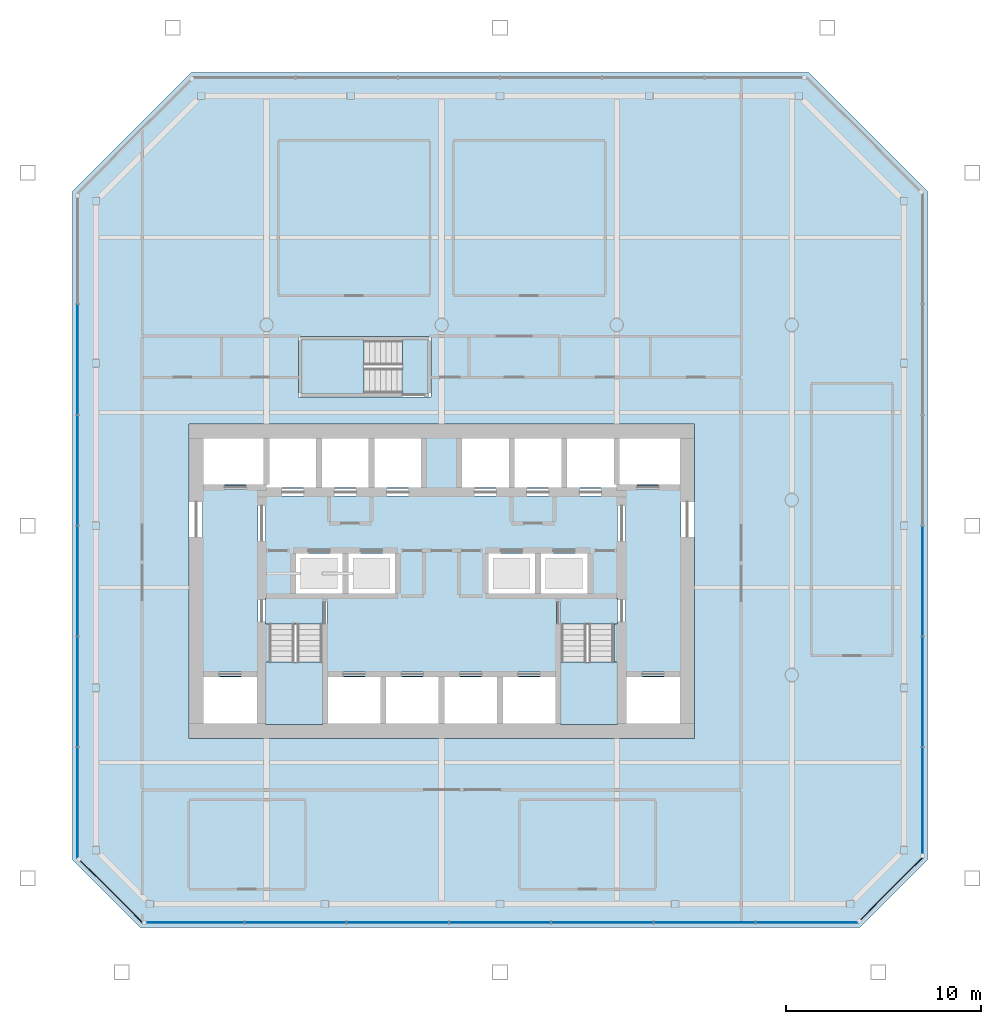
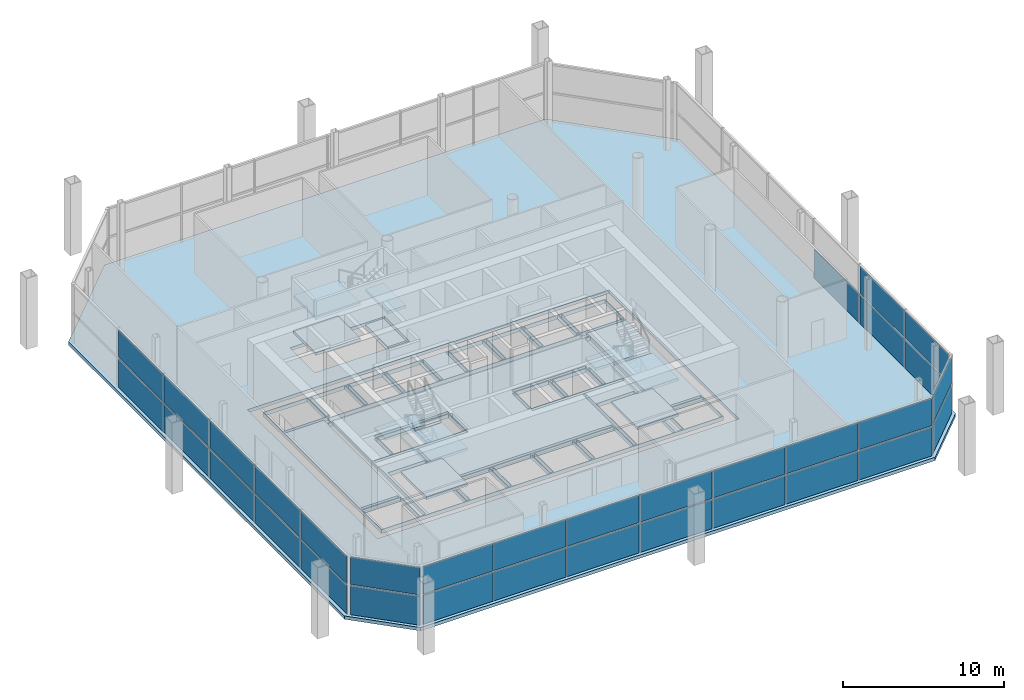
# One storey, part 6 of 12: 33 plates, 12 slabs, 8 elements without a shape of their own.
"""IFC4 building model written with IfcOpenShell, lengths in metres."""

from ifc_helpers import new_model, si_unit, direction, frame, origin, origin_2d, place, context, subcontext, project, spatial, polyline, rectangle, outline, extrude, material, layer, layer_set, type_object, element, aggregate, save


model = new_model("IFC4")

# Units and contexts
model_context = context("Model", 3, precision=1e-05, world=origin(), true_north=direction((0.0, 1.0)))
body_context = subcontext(model_context, "Body", "Model", "MODEL_VIEW")
ifc_project = project(units=[si_unit("LENGTHUNIT", "METRE"), si_unit("AREAUNIT", "SQUARE_METRE"), si_unit("VOLUMEUNIT", "CUBIC_METRE"), si_unit("PLANEANGLEUNIT", "RADIAN"), si_unit("MASSUNIT", "GRAM", prefix="KILO")], contexts=[model_context])

# Site, building, storey
site_placement = place(None, origin())
site = spatial("IfcSite", under=ifc_project, at=site_placement, CompositionType="ELEMENT")
building_placement = place(site_placement, origin())
building = spatial("IfcBuilding", under=site, at=building_placement, Name="Tskaro Facet Tower", CompositionType="ELEMENT")
storey_placement = place(building_placement, frame((0.0, 0.0, 162.300048828125)))
storey = spatial("IfcBuildingStorey", under=building, at=storey_placement, Name="L40", CompositionType="ELEMENT", Elevation=162.300048828125)

# Curtain wall, plates
ifc_material_1 = material(Name="Bronze anodised aluminium 6063-T6", Category="aluminium")
curtain_wall_type = type_object("IfcCurtainWallType", Name="Bronze sky lobby curtain wall (FW4)", PredefinedType="NOTDEFINED", material=ifc_material_1)
curtain_wall_1_placement = place(storey_placement, origin())
curtain_wall_1 = element("IfcCurtainWall", 1, at=curtain_wall_1_placement, inside=storey, type_object=curtain_wall_type, Name="FW4 south facet L40", PredefinedType="NOTDEFINED")
ifc_material_2 = material(Name="Clear low-iron glass", Category="glass")
ifc_layer_1 = layer(ifc_material_2, 0.0380859375, Name="Clear low-iron glass")
ifc_layer_set_1 = layer_set([ifc_layer_1], Name="Clear low-iron glass")
plate_type = type_object("IfcPlateType", Name="FW4 bronze-tinted unit glazing 38", PredefinedType="CURTAIN_PANEL", material=ifc_layer_set_1)
plate_1_placement = place(storey_placement, frame((-12.674560546875, -21.72412109375, 0.0), z_axis=(0.0, 0.0, 1.0), x_axis=(1.0, 0.0, 0.0)))
plate_1 = element("IfcPlate", 2, at=plate_1_placement, type_object=plate_type, Name="FW4 south glazing 1.1", PredefinedType="CURTAIN_PANEL", context=body_context, shape_type="SweptSolid", body=[
    extrude(rectangle(XDim=4.994873046875, YDim=0.0380859375, at=origin_2d()), origin(), (0.0, 0.0, 1.0), 2.18505859375),
])
plate_2_placement = place(storey_placement, frame((-12.674560546875, -21.72412109375, 2.304931640625), z_axis=(0.0, 0.0, 1.0), x_axis=(1.0, 0.0, 0.0)))
plate_2 = element("IfcPlate", 3, at=plate_2_placement, type_object=plate_type, Name="FW4 south glazing 1.2", PredefinedType="CURTAIN_PANEL", context=body_context, shape_type="SweptSolid", body=[
    extrude(rectangle(XDim=4.994873046875, YDim=0.0380859375, at=origin_2d()), origin(), (0.0, 0.0, 1.0), 2.06494140625),
])
plate_3_placement = place(storey_placement, frame((-7.509765625, -21.72412109375, 0.0), z_axis=(0.0, 0.0, 1.0), x_axis=(1.0, 0.0, 0.0)))
plate_3 = element("IfcPlate", 4, at=plate_3_placement, type_object=plate_type, Name="FW4 south glazing 2.1", PredefinedType="CURTAIN_PANEL", context=body_context, shape_type="SweptSolid", body=[
    extrude(rectangle(XDim=5.1748046875, YDim=0.0380859375, at=origin_2d()), origin(), (0.0, 0.0, 1.0), 2.18505859375),
])
plate_4_placement = place(storey_placement, frame((-7.509765625, -21.72412109375, 2.304931640625), z_axis=(0.0, 0.0, 1.0), x_axis=(1.0, 0.0, 0.0)))
plate_4 = element("IfcPlate", 5, at=plate_4_placement, type_object=plate_type, Name="FW4 south glazing 2.2", PredefinedType="CURTAIN_PANEL", context=body_context, shape_type="SweptSolid", body=[
    extrude(rectangle(XDim=5.1748046875, YDim=0.0380859375, at=origin_2d()), origin(), (0.0, 0.0, 1.0), 2.06494140625),
])
plate_5_placement = place(storey_placement, frame((-2.2548828125, -21.72412109375, 0.0), z_axis=(0.0, 0.0, 1.0), x_axis=(1.0, 0.0, 0.0)))
plate_5 = element("IfcPlate", 6, at=plate_5_placement, type_object=plate_type, Name="FW4 south glazing 3.1", PredefinedType="CURTAIN_PANEL", context=body_context, shape_type="SweptSolid", body=[
    extrude(rectangle(XDim=5.1748046875, YDim=0.0380859375, at=origin_2d()), origin(), (0.0, 0.0, 1.0), 2.18505859375),
])
plate_6_placement = place(storey_placement, frame((-2.2548828125, -21.72412109375, 2.304931640625), z_axis=(0.0, 0.0, 1.0), x_axis=(1.0, 0.0, 0.0)))
plate_6 = element("IfcPlate", 7, at=plate_6_placement, type_object=plate_type, Name="FW4 south glazing 3.2", PredefinedType="CURTAIN_PANEL", context=body_context, shape_type="SweptSolid", body=[
    extrude(rectangle(XDim=5.1748046875, YDim=0.0380859375, at=origin_2d()), origin(), (0.0, 0.0, 1.0), 2.06494140625),
])
plate_7_placement = place(storey_placement, frame((3.0, -21.72412109375, 0.0), z_axis=(0.0, 0.0, 1.0), x_axis=(1.0, 0.0, 0.0)))
plate_7 = element("IfcPlate", 8, at=plate_7_placement, type_object=plate_type, Name="FW4 south glazing 4.1", PredefinedType="CURTAIN_PANEL", context=body_context, shape_type="SweptSolid", body=[
    extrude(rectangle(XDim=5.1748046875, YDim=0.0380859375, at=origin_2d()), origin(), (0.0, 0.0, 1.0), 2.18505859375),
])
plate_8_placement = place(storey_placement, frame((3.0, -21.72412109375, 2.304931640625), z_axis=(0.0, 0.0, 1.0), x_axis=(1.0, 0.0, 0.0)))
plate_8 = element("IfcPlate", 9, at=plate_8_placement, type_object=plate_type, Name="FW4 south glazing 4.2", PredefinedType="CURTAIN_PANEL", context=body_context, shape_type="SweptSolid", body=[
    extrude(rectangle(XDim=5.1748046875, YDim=0.0380859375, at=origin_2d()), origin(), (0.0, 0.0, 1.0), 2.06494140625),
])
plate_9_placement = place(storey_placement, frame((8.2548828125, -21.72412109375, 0.0), z_axis=(0.0, 0.0, 1.0), x_axis=(1.0, 0.0, 0.0)))
plate_9 = element("IfcPlate", 10, at=plate_9_placement, type_object=plate_type, Name="FW4 south glazing 5.1", PredefinedType="CURTAIN_PANEL", context=body_context, shape_type="SweptSolid", body=[
    extrude(rectangle(XDim=5.1748046875, YDim=0.0380859375, at=origin_2d()), origin(), (0.0, 0.0, 1.0), 2.18505859375),
])
plate_10_placement = place(storey_placement, frame((8.2548828125, -21.72412109375, 2.304931640625), z_axis=(0.0, 0.0, 1.0), x_axis=(1.0, 0.0, 0.0)))
plate_10 = element("IfcPlate", 11, at=plate_10_placement, type_object=plate_type, Name="FW4 south glazing 5.2", PredefinedType="CURTAIN_PANEL", context=body_context, shape_type="SweptSolid", body=[
    extrude(rectangle(XDim=5.1748046875, YDim=0.0380859375, at=origin_2d()), origin(), (0.0, 0.0, 1.0), 2.06494140625),
])
plate_11_placement = place(storey_placement, frame((13.509765625, -21.72412109375, 0.0), z_axis=(0.0, 0.0, 1.0), x_axis=(1.0, 0.0, 0.0)))
plate_11 = element("IfcPlate", 12, at=plate_11_placement, type_object=plate_type, Name="FW4 south glazing 6.1", PredefinedType="CURTAIN_PANEL", context=body_context, shape_type="SweptSolid", body=[
    extrude(rectangle(XDim=5.1748046875, YDim=0.0380859375, at=origin_2d()), origin(), (0.0, 0.0, 1.0), 2.18505859375),
])
plate_12_placement = place(storey_placement, frame((13.509765625, -21.72412109375, 2.304931640625), z_axis=(0.0, 0.0, 1.0), x_axis=(1.0, 0.0, 0.0)))
plate_12 = element("IfcPlate", 13, at=plate_12_placement, type_object=plate_type, Name="FW4 south glazing 6.2", PredefinedType="CURTAIN_PANEL", context=body_context, shape_type="SweptSolid", body=[
    extrude(rectangle(XDim=5.1748046875, YDim=0.0380859375, at=origin_2d()), origin(), (0.0, 0.0, 1.0), 2.06494140625),
])
plate_13_placement = place(storey_placement, frame((18.78466796875, -21.72412109375, 0.0), z_axis=(0.0, 0.0, 1.0), x_axis=(1.0, 0.0, 0.0)))
plate_13 = element("IfcPlate", 14, at=plate_13_placement, type_object=plate_type, Name="FW4 south glazing 7.1", PredefinedType="CURTAIN_PANEL", context=body_context, shape_type="SweptSolid", body=[
    extrude(rectangle(XDim=5.21484375, YDim=0.0380859375, at=origin_2d()), origin(), (0.0, 0.0, 1.0), 2.18505859375),
])
plate_14_placement = place(storey_placement, frame((18.78466796875, -21.72412109375, 2.304931640625), z_axis=(0.0, 0.0, 1.0), x_axis=(1.0, 0.0, 0.0)))
plate_14 = element("IfcPlate", 15, at=plate_14_placement, type_object=plate_type, Name="FW4 south glazing 7.2", PredefinedType="CURTAIN_PANEL", context=body_context, shape_type="SweptSolid", body=[
    extrude(rectangle(XDim=5.21484375, YDim=0.0380859375, at=origin_2d()), origin(), (0.0, 0.0, 1.0), 2.06494140625),
])
aggregate(curtain_wall_1, [plate_1, plate_2, plate_3, plate_4, plate_5, plate_6, plate_7, plate_8, plate_9, plate_10, plate_11, plate_12, plate_13, plate_14])

curtain_wall_2_placement = place(storey_placement, origin())
curtain_wall_2 = element("IfcCurtainWall", 16, at=curtain_wall_2_placement, inside=storey, type_object=curtain_wall_type, Name="FW4 south-east facet L40", PredefinedType="NOTDEFINED")
plate_15_placement = place(storey_placement, frame((23.1357421875, -19.980224609375, 0.0), z_axis=(0.0, 0.0, 1.0), x_axis=(0.707106781187, 0.707106781187, 0.0)))
plate_15 = element("IfcPlate", 17, at=plate_15_placement, type_object=plate_type, Name="FW4 south-east glazing 1.1", PredefinedType="CURTAIN_PANEL", context=body_context, shape_type="SweptSolid", body=[
    extrude(rectangle(XDim=4.4921875, YDim=0.0380859375, at=origin_2d()), origin(), (0.0, 0.0, 1.0), 2.18505859375),
])
plate_16_placement = place(storey_placement, frame((23.1357421875, -19.980224609375, 2.304931640625), z_axis=(0.0, 0.0, 1.0), x_axis=(0.707106781187, 0.707106781187, 0.0)))
plate_16 = element("IfcPlate", 18, at=plate_16_placement, type_object=plate_type, Name="FW4 south-east glazing 1.2", PredefinedType="CURTAIN_PANEL", context=body_context, shape_type="SweptSolid", body=[
    extrude(rectangle(XDim=4.4921875, YDim=0.0380859375, at=origin_2d()), origin(), (0.0, 0.0, 1.0), 2.06494140625),
])
aggregate(curtain_wall_2, [plate_15, plate_16])

curtain_wall_3_placement = place(storey_placement, origin())
curtain_wall_3 = element("IfcCurtainWall", 19, at=curtain_wall_3_placement, inside=storey, type_object=curtain_wall_type, Name="FW4 east facet L40", PredefinedType="NOTDEFINED")
plate_17_placement = place(storey_placement, frame((24.72412109375, -15.455810546875, 0.0), z_axis=(0.0, 0.0, 1.0), x_axis=(0.0, 1.0, 0.0)))
plate_17 = element("IfcPlate", 20, at=plate_17_placement, type_object=plate_type, Name="FW4 east glazing 1.1", PredefinedType="CURTAIN_PANEL", context=body_context, shape_type="SweptSolid", body=[
    extrude(rectangle(XDim=5.43212890625, YDim=0.0380859375, at=origin_2d()), origin(), (0.0, 0.0, 1.0), 2.18505859375),
])
plate_18_placement = place(storey_placement, frame((24.72412109375, -15.455810546875, 2.304931640625), z_axis=(0.0, 0.0, 1.0), x_axis=(0.0, 1.0, 0.0)))
plate_18 = element("IfcPlate", 21, at=plate_18_placement, type_object=plate_type, Name="FW4 east glazing 1.2", PredefinedType="CURTAIN_PANEL", context=body_context, shape_type="SweptSolid", body=[
    extrude(rectangle(XDim=5.43212890625, YDim=0.0380859375, at=origin_2d()), origin(), (0.0, 0.0, 1.0), 2.06494140625),
])
plate_19_placement = place(storey_placement, frame((24.72412109375, -9.853759765625, 0.0), z_axis=(0.0, 0.0, 1.0), x_axis=(0.0, 1.0, 0.0)))
plate_19 = element("IfcPlate", 22, at=plate_19_placement, type_object=plate_type, Name="FW4 east glazing 2.1", PredefinedType="CURTAIN_PANEL", context=body_context, shape_type="SweptSolid", body=[
    extrude(rectangle(XDim=5.612060546875, YDim=0.0380859375, at=origin_2d()), origin(), (0.0, 0.0, 1.0), 2.18505859375),
])
plate_20_placement = place(storey_placement, frame((24.72412109375, -9.853759765625, 2.304931640625), z_axis=(0.0, 0.0, 1.0), x_axis=(0.0, 1.0, 0.0)))
plate_20 = element("IfcPlate", 23, at=plate_20_placement, type_object=plate_type, Name="FW4 east glazing 2.2", PredefinedType="CURTAIN_PANEL", context=body_context, shape_type="SweptSolid", body=[
    extrude(rectangle(XDim=5.612060546875, YDim=0.0380859375, at=origin_2d()), origin(), (0.0, 0.0, 1.0), 2.06494140625),
])
plate_21_placement = place(storey_placement, frame((24.72412109375, -4.16162109375, 0.0), z_axis=(0.0, 0.0, 1.0), x_axis=(0.0, 1.0, 0.0)))
plate_21 = element("IfcPlate", 24, at=plate_21_placement, type_object=plate_type, Name="FW4 east glazing 3.1", PredefinedType="CURTAIN_PANEL", context=body_context, shape_type="SweptSolid", body=[
    extrude(rectangle(XDim=5.612060546875, YDim=0.0380859375, at=origin_2d()), origin(), (0.0, 0.0, 1.0), 2.18505859375),
])
aggregate(curtain_wall_3, [plate_17, plate_18, plate_19, plate_20, plate_21])

curtain_wall_4_placement = place(storey_placement, origin())
curtain_wall_4 = element("IfcCurtainWall", 25, at=curtain_wall_4_placement, inside=storey, type_object=curtain_wall_type, Name="FW4 west facet L40", PredefinedType="NOTDEFINED")
plate_22_placement = place(storey_placement, frame((-18.72412109375, 7.22265625, 0.0), z_axis=(0.0, 0.0, 1.0), x_axis=(0.0, -1.0, 0.0)))
plate_22 = element("IfcPlate", 26, at=plate_22_placement, type_object=plate_type, Name="FW4 west glazing 2.1", PredefinedType="CURTAIN_PANEL", context=body_context, shape_type="SweptSolid", body=[
    extrude(rectangle(XDim=5.612060546875, YDim=0.0380859375, at=origin_2d()), origin(), (0.0, 0.0, 1.0), 2.18505859375),
])
plate_23_placement = place(storey_placement, frame((-18.72412109375, 7.22265625, 2.304931640625), z_axis=(0.0, 0.0, 1.0), x_axis=(0.0, -1.0, 0.0)))
plate_23 = element("IfcPlate", 27, at=plate_23_placement, type_object=plate_type, Name="FW4 west glazing 2.2", PredefinedType="CURTAIN_PANEL", context=body_context, shape_type="SweptSolid", body=[
    extrude(rectangle(XDim=5.612060546875, YDim=0.0380859375, at=origin_2d()), origin(), (0.0, 0.0, 1.0), 2.06494140625),
])
plate_24_placement = place(storey_placement, frame((-18.72412109375, 1.530517578125, 0.0), z_axis=(0.0, 0.0, 1.0), x_axis=(0.0, -1.0, 0.0)))
plate_24 = element("IfcPlate", 28, at=plate_24_placement, type_object=plate_type, Name="FW4 west glazing 3.1", PredefinedType="CURTAIN_PANEL", context=body_context, shape_type="SweptSolid", body=[
    extrude(rectangle(XDim=5.612060546875, YDim=0.0380859375, at=origin_2d()), origin(), (0.0, 0.0, 1.0), 2.18505859375),
])
plate_25_placement = place(storey_placement, frame((-18.72412109375, 1.530517578125, 2.304931640625), z_axis=(0.0, 0.0, 1.0), x_axis=(0.0, -1.0, 0.0)))
plate_25 = element("IfcPlate", 29, at=plate_25_placement, type_object=plate_type, Name="FW4 west glazing 3.2", PredefinedType="CURTAIN_PANEL", context=body_context, shape_type="SweptSolid", body=[
    extrude(rectangle(XDim=5.612060546875, YDim=0.0380859375, at=origin_2d()), origin(), (0.0, 0.0, 1.0), 2.06494140625),
])
plate_26_placement = place(storey_placement, frame((-18.72412109375, -4.16162109375, 0.0), z_axis=(0.0, 0.0, 1.0), x_axis=(0.0, -1.0, 0.0)))
plate_26 = element("IfcPlate", 30, at=plate_26_placement, type_object=plate_type, Name="FW4 west glazing 4.1", PredefinedType="CURTAIN_PANEL", context=body_context, shape_type="SweptSolid", body=[
    extrude(rectangle(XDim=5.612060546875, YDim=0.0380859375, at=origin_2d()), origin(), (0.0, 0.0, 1.0), 2.18505859375),
])
plate_27_placement = place(storey_placement, frame((-18.72412109375, -4.16162109375, 2.304931640625), z_axis=(0.0, 0.0, 1.0), x_axis=(0.0, -1.0, 0.0)))
plate_27 = element("IfcPlate", 31, at=plate_27_placement, type_object=plate_type, Name="FW4 west glazing 4.2", PredefinedType="CURTAIN_PANEL", context=body_context, shape_type="SweptSolid", body=[
    extrude(rectangle(XDim=5.612060546875, YDim=0.0380859375, at=origin_2d()), origin(), (0.0, 0.0, 1.0), 2.06494140625),
])
plate_28_placement = place(storey_placement, frame((-18.72412109375, -9.853759765625, 0.0), z_axis=(0.0, 0.0, 1.0), x_axis=(0.0, -1.0, 0.0)))
plate_28 = element("IfcPlate", 32, at=plate_28_placement, type_object=plate_type, Name="FW4 west glazing 5.1", PredefinedType="CURTAIN_PANEL", context=body_context, shape_type="SweptSolid", body=[
    extrude(rectangle(XDim=5.612060546875, YDim=0.0380859375, at=origin_2d()), origin(), (0.0, 0.0, 1.0), 2.18505859375),
])
plate_29_placement = place(storey_placement, frame((-18.72412109375, -9.853759765625, 2.304931640625), z_axis=(0.0, 0.0, 1.0), x_axis=(0.0, -1.0, 0.0)))
plate_29 = element("IfcPlate", 33, at=plate_29_placement, type_object=plate_type, Name="FW4 west glazing 5.2", PredefinedType="CURTAIN_PANEL", context=body_context, shape_type="SweptSolid", body=[
    extrude(rectangle(XDim=5.612060546875, YDim=0.0380859375, at=origin_2d()), origin(), (0.0, 0.0, 1.0), 2.06494140625),
])
plate_30_placement = place(storey_placement, frame((-18.72412109375, -15.56591796875, 0.0), z_axis=(0.0, 0.0, 1.0), x_axis=(0.0, -1.0, 0.0)))
plate_30 = element("IfcPlate", 34, at=plate_30_placement, type_object=plate_type, Name="FW4 west glazing 6.1", PredefinedType="CURTAIN_PANEL", context=body_context, shape_type="SweptSolid", body=[
    extrude(rectangle(XDim=5.652099609375, YDim=0.0380859375, at=origin_2d()), origin(), (0.0, 0.0, 1.0), 2.18505859375),
])
plate_31_placement = place(storey_placement, frame((-18.72412109375, -15.56591796875, 2.304931640625), z_axis=(0.0, 0.0, 1.0), x_axis=(0.0, -1.0, 0.0)))
plate_31 = element("IfcPlate", 35, at=plate_31_placement, type_object=plate_type, Name="FW4 west glazing 6.2", PredefinedType="CURTAIN_PANEL", context=body_context, shape_type="SweptSolid", body=[
    extrude(rectangle(XDim=5.652099609375, YDim=0.0380859375, at=origin_2d()), origin(), (0.0, 0.0, 1.0), 2.06494140625),
])
aggregate(curtain_wall_4, [plate_22, plate_23, plate_24, plate_25, plate_26, plate_27, plate_28, plate_29, plate_30, plate_31])

curtain_wall_5_placement = place(storey_placement, origin())
curtain_wall_5 = element("IfcCurtainWall", 36, at=curtain_wall_5_placement, inside=storey, type_object=curtain_wall_type, Name="FW4 south-west facet L40", PredefinedType="NOTDEFINED")
plate_32_placement = place(storey_placement, frame((-16.980224609375, -20.1357421875, 0.0), z_axis=(0.0, 0.0, 1.0), x_axis=(0.707106781187, -0.707106781187, 0.0)))
plate_32 = element("IfcPlate", 37, at=plate_32_placement, type_object=plate_type, Name="FW4 south-west glazing 1.1", PredefinedType="CURTAIN_PANEL", context=body_context, shape_type="SweptSolid", body=[
    extrude(rectangle(XDim=4.4921875, YDim=0.0380859375, at=origin_2d()), origin(), (0.0, 0.0, 1.0), 2.18505859375),
])
plate_33_placement = place(storey_placement, frame((-16.980224609375, -20.1357421875, 2.304931640625), z_axis=(0.0, 0.0, 1.0), x_axis=(0.707106781187, -0.707106781187, 0.0)))
plate_33 = element("IfcPlate", 38, at=plate_33_placement, type_object=plate_type, Name="FW4 south-west glazing 1.2", PredefinedType="CURTAIN_PANEL", context=body_context, shape_type="SweptSolid", body=[
    extrude(rectangle(XDim=4.4921875, YDim=0.0380859375, at=origin_2d()), origin(), (0.0, 0.0, 1.0), 2.06494140625),
])
aggregate(curtain_wall_5, [plate_32, plate_33])

# Stair, slabs
ifc_material_3 = material(Name="Concrete C40/50", Category="concrete")
stair_type = type_object("IfcStairType", Name="ST-TWR", PredefinedType="HALF_TURN_STAIR", material=ifc_material_3)
stair_1_placement = place(storey_placement, origin())
stair_1 = element("IfcStair", 39, at=stair_1_placement, inside=storey, type_object=stair_type, Name="L40 Exit stair 1", PredefinedType="HALF_TURN_STAIR")
ifc_layer_2 = layer(ifc_material_3, 0.199951171875, Name="Concrete C40/50")
ifc_layer_set_2 = layer_set([ifc_layer_2], Name="Concrete C40/50")
slab_type_1 = type_object("IfcSlabType", Name="SL-LANDING", PredefinedType="LANDING", material=ifc_layer_set_2)
slab_1_placement = place(storey_placement, frame((0.0, 0.0, 1.14990234375)))
slab_1 = element("IfcSlab", 40, at=slab_1_placement, type_object=slab_type_1, Name="ST-1 landing 1", PredefinedType="LANDING", context=body_context, shape_type="SweptSolid", body=[
    extrude(outline(polyline([(-9.050048828125, -11.550048828125), (-6.10009765625, -11.550048828125), (-6.10009765625, -8.3349609375), (-9.050048828125, -8.3349609375), (-9.050048828125, -11.550048828125)])), origin(), (0.0, 0.0, 1.0), 0.199951171875),
])
slab_2_placement = place(storey_placement, frame((0.0, 0.0, 2.5)))
slab_2 = element("IfcSlab", 41, at=slab_2_placement, type_object=slab_type_1, Name="ST-1 landing 2", PredefinedType="LANDING", context=body_context, shape_type="SweptSolid", body=[
    extrude(outline(polyline([(-9.050048828125, -6.375), (-6.10009765625, -6.375), (-6.10009765625, -5.050048828125), (-9.050048828125, -5.050048828125), (-9.050048828125, -6.375)])), origin(), (0.0, 0.0, 1.0), 0.199951171875),
])
slab_3_placement = place(storey_placement, frame((0.0, 0.0, 3.849853515625)))
slab_3 = element("IfcSlab", 42, at=slab_3_placement, type_object=slab_type_1, Name="ST-1 landing 3", PredefinedType="LANDING", context=body_context, shape_type="SweptSolid", body=[
    extrude(outline(polyline([(-9.050048828125, -11.550048828125), (-6.10009765625, -11.550048828125), (-6.10009765625, -8.3349609375), (-9.050048828125, -8.3349609375), (-9.050048828125, -11.550048828125)])), origin(), (0.0, 0.0, 1.0), 0.2001953125),
])
aggregate(stair_1, [slab_1, slab_2, slab_3])

stair_2_placement = place(storey_placement, origin())
stair_2 = element("IfcStair", 43, at=stair_2_placement, inside=storey, type_object=stair_type, Name="L40 Exit stair 2", PredefinedType="HALF_TURN_STAIR")
slab_4_placement = place(storey_placement, frame((0.0, 0.0, 1.14990234375)))
slab_4 = element("IfcSlab", 44, at=slab_4_placement, type_object=slab_type_1, Name="ST-2 landing 1", PredefinedType="LANDING", context=body_context, shape_type="SweptSolid", body=[
    extrude(outline(polyline([(6.10009765625, -11.550048828125), (9.050048828125, -11.550048828125), (9.050048828125, -8.3349609375), (6.10009765625, -8.3349609375), (6.10009765625, -11.550048828125)])), origin(), (0.0, 0.0, 1.0), 0.199951171875),
])
slab_5_placement = place(storey_placement, frame((0.0, 0.0, 2.5)))
slab_5 = element("IfcSlab", 45, at=slab_5_placement, type_object=slab_type_1, Name="ST-2 landing 2", PredefinedType="LANDING", context=body_context, shape_type="SweptSolid", body=[
    extrude(outline(polyline([(6.10009765625, -6.375), (9.050048828125, -6.375), (9.050048828125, -5.050048828125), (6.10009765625, -5.050048828125), (6.10009765625, -6.375)])), origin(), (0.0, 0.0, 1.0), 0.199951171875),
])
slab_6_placement = place(storey_placement, frame((0.0, 0.0, 3.849853515625)))
slab_6 = element("IfcSlab", 46, at=slab_6_placement, type_object=slab_type_1, Name="ST-2 landing 3", PredefinedType="LANDING", context=body_context, shape_type="SweptSolid", body=[
    extrude(outline(polyline([(6.10009765625, -11.550048828125), (9.050048828125, -11.550048828125), (9.050048828125, -8.3349609375), (6.10009765625, -8.3349609375), (6.10009765625, -11.550048828125)])), origin(), (0.0, 0.0, 1.0), 0.2001953125),
])
aggregate(stair_2, [slab_4, slab_5, slab_6])

stair_3_placement = place(storey_placement, origin())
stair_3 = element("IfcStair", 47, at=stair_3_placement, inside=storey, type_object=stair_type, Name="L40 Exit stair 3", PredefinedType="HALF_TURN_STAIR")
slab_7_placement = place(storey_placement, frame((0.0, 0.0, 1.14990234375)))
slab_7 = element("IfcSlab", 48, at=slab_7_placement, type_object=slab_type_1, Name="ST-3 landing 1", PredefinedType="LANDING", context=body_context, shape_type="SweptSolid", body=[
    extrude(outline(polyline([(-7.199951171875, 5.449951171875), (-3.985107421875, 5.449951171875), (-3.985107421875, 8.25), (-7.199951171875, 8.25), (-7.199951171875, 5.449951171875)])), origin(), (0.0, 0.0, 1.0), 0.199951171875),
])
slab_8_placement = place(storey_placement, frame((0.0, 0.0, 2.5)))
slab_8 = element("IfcSlab", 49, at=slab_8_placement, type_object=slab_type_1, Name="ST-3 landing 2", PredefinedType="LANDING", context=body_context, shape_type="SweptSolid", body=[
    extrude(outline(polyline([(-2.02490234375, 5.449951171875), (-0.699951171875, 5.449951171875), (-0.699951171875, 8.25), (-2.02490234375, 8.25), (-2.02490234375, 5.449951171875)])), origin(), (0.0, 0.0, 1.0), 0.199951171875),
])
slab_9_placement = place(storey_placement, frame((0.0, 0.0, 3.849853515625)))
slab_9 = element("IfcSlab", 50, at=slab_9_placement, type_object=slab_type_1, Name="ST-3 landing 3", PredefinedType="LANDING", context=body_context, shape_type="SweptSolid", body=[
    extrude(outline(polyline([(-7.199951171875, 5.449951171875), (-3.985107421875, 5.449951171875), (-3.985107421875, 8.25), (-7.199951171875, 8.25), (-7.199951171875, 5.449951171875)])), origin(), (0.0, 0.0, 1.0), 0.2001953125),
])
aggregate(stair_3, [slab_7, slab_8, slab_9])

# Slabs
ifc_material_4 = material(Name="Concrete C60/75", Category="concrete")
ifc_layer_3 = layer(ifc_material_4, 0.300048828125, Name="Concrete C60/75")
ifc_layer_set_3 = layer_set([ifc_layer_3], Name="Concrete C60/75")
slab_type_2 = type_object("IfcSlabType", Name="SLAB-CORE", PredefinedType="FLOOR", material=ifc_layer_set_3)
slab_10_placement = place(storey_placement, frame((0.0, 0.0, -0.300048828125)))
element("IfcSlab", 51, at=slab_10_placement, inside=storey, type_object=slab_type_2, Name="Core floor slab 1", PredefinedType="FLOOR", context=body_context, shape_type="SweptSolid", body=[
    extrude(outline(polyline([(-12.300048828125, 3.199951171875), (12.300048828125, 3.199951171875), (12.300048828125, 3.10009765625), (12.300048828125, -11.449951171875), (12.300048828125, -11.550048828125), (-12.300048828125, -11.550048828125), (-12.300048828125, -11.449951171875), (-12.300048828125, 3.10009765625), (-12.300048828125, 3.199951171875)]), holes=[polyline([(-5.85009765625, -9.10009765625), (-5.85009765625, -11.5), (-3.14990234375, -11.5), (-3.14990234375, -9.10009765625), (-5.85009765625, -9.10009765625)]), polyline([(-9.5, -11.5), (-9.5, -9.10009765625), (-12.25, -9.10009765625), (-12.25, -11.5), (-9.5, -11.5)]), polyline([(-12.199951171875, -8.85009765625), (-12.199951171875, -9.050048828125), (-9.550048828125, -9.050048828125), (-9.550048828125, -8.85009765625), (-12.199951171875, -8.85009765625)]), polyline([(-6.10009765625, -5.14990234375), (-6.10009765625, -11.449951171875), (-5.89990234375, -11.449951171875), (-5.89990234375, -5.14990234375), (-6.10009765625, -5.14990234375)]), polyline([(-9.449951171875, 0.10009765625), (-9.449951171875, -11.449951171875), (-9.050048828125, -11.449951171875), (-9.050048828125, 0.10009765625), (-9.449951171875, 0.10009765625)]), polyline([(-8.949951171875, -4.85009765625), (-8.949951171875, -5.050048828125), (-2.300048828125, -5.050048828125), (-2.300048828125, -4.85009765625), (-8.949951171875, -4.85009765625)]), polyline([(-7.75, -4.75), (-7.550048828125, -4.75), (-7.550048828125, -2.800048828125), (-7.75, -2.800048828125), (-7.75, -4.75)]), polyline([(-7.5, -4.800048828125), (-5.10009765625, -4.800048828125), (-5.10009765625, -2.75), (-7.5, -2.75), (-7.5, -4.800048828125)]), polyline([(-5.050048828125, -2.800048828125), (-5.050048828125, -4.75), (-4.85009765625, -4.75), (-4.85009765625, -2.800048828125), (-5.050048828125, -2.800048828125)]), polyline([(-7.60009765625, -2.5), (-7.60009765625, -2.699951171875), (-2.300048828125, -2.699951171875), (-2.300048828125, -2.5), (-7.60009765625, -2.5)]), polyline([(9.449951171875, 0.199951171875), (9.449951171875, 0.550048828125), (12.199951171875, 0.550048828125), (12.199951171875, 0.75), (9.050048828125, 0.75), (9.050048828125, 0.60009765625), (-9.050048828125, 0.60009765625), (-9.050048828125, 0.75), (-12.199951171875, 0.75), (-12.199951171875, 0.550048828125), (-9.449951171875, 0.550048828125), (-9.449951171875, 0.199951171875), (9.449951171875, 0.199951171875)]), polyline([(-8.85009765625, 3.14990234375), (-8.85009765625, 0.800048828125), (-9.0, 0.800048828125), (-9.0, 0.64990234375), (-6.449951171875, 0.64990234375), (-6.449951171875, 3.14990234375), (-8.85009765625, 3.14990234375)]), polyline([(-6.14990234375, 0.64990234375), (-3.75, 0.64990234375), (-3.75, 3.14990234375), (-6.14990234375, 3.14990234375), (-6.14990234375, 0.64990234375)]), polyline([(-6.39990234375, 0.699951171875), (-6.199951171875, 0.699951171875), (-6.199951171875, 3.10009765625), (-6.39990234375, 3.10009765625), (-6.39990234375, 0.699951171875)]), polyline([(-9.14990234375, 0.800048828125), (-9.14990234375, 3.14990234375), (-12.25, 3.14990234375), (-12.25, 0.800048828125), (-9.14990234375, 0.800048828125)]), polyline([(-9.10009765625, 3.10009765625), (-9.10009765625, 0.85009765625), (-8.89990234375, 0.85009765625), (-8.89990234375, 3.10009765625), (-9.10009765625, 3.10009765625)]), polyline([(2.89990234375, -9.14990234375), (2.89990234375, -11.449951171875), (3.10009765625, -11.449951171875), (3.10009765625, -9.14990234375), (2.89990234375, -9.14990234375)]), polyline([(0.14990234375, -9.10009765625), (0.14990234375, -11.5), (2.85009765625, -11.5), (2.85009765625, -9.10009765625), (0.14990234375, -9.10009765625)]), polyline([(-3.10009765625, -9.14990234375), (-3.10009765625, -11.449951171875), (-2.89990234375, -11.449951171875), (-2.89990234375, -9.14990234375), (-3.10009765625, -9.14990234375)]), polyline([(-0.10009765625, -9.14990234375), (-0.10009765625, -11.449951171875), (0.10009765625, -11.449951171875), (0.10009765625, -9.14990234375), (-0.10009765625, -9.14990234375)]), polyline([(-0.14990234375, -9.10009765625), (-2.85009765625, -9.10009765625), (-2.85009765625, -11.5), (-0.14990234375, -11.5), (-0.14990234375, -9.10009765625)]), polyline([(-5.800048828125, -8.85009765625), (-5.800048828125, -9.050048828125), (5.800048828125, -9.050048828125), (5.800048828125, -8.85009765625), (-5.800048828125, -8.85009765625)]), polyline([(-2.35009765625, -2.800048828125), (-2.35009765625, -4.75), (-2.14990234375, -4.75), (-2.14990234375, -2.800048828125), (-2.35009765625, -2.800048828125)]), polyline([(-2.39990234375, -4.800048828125), (-2.39990234375, -2.75), (-4.800048828125, -2.75), (-4.800048828125, -4.800048828125), (-2.39990234375, -4.800048828125)]), polyline([(2.14990234375, -4.75), (2.35009765625, -4.75), (2.35009765625, -2.800048828125), (2.14990234375, -2.800048828125), (2.14990234375, -4.75)]), polyline([(-3.449951171875, 0.64990234375), (-1.050048828125, 0.64990234375), (-1.050048828125, 3.14990234375), (-3.449951171875, 3.14990234375), (-3.449951171875, 0.64990234375)]), polyline([(1.050048828125, 0.64990234375), (3.449951171875, 0.64990234375), (3.449951171875, 3.14990234375), (1.050048828125, 3.14990234375), (1.050048828125, 0.64990234375)]), polyline([(-1.0, 3.10009765625), (-1.0, 0.699951171875), (-0.800048828125, 0.699951171875), (-0.800048828125, 3.10009765625), (-1.0, 3.10009765625)]), polyline([(0.800048828125, 3.10009765625), (0.800048828125, 0.699951171875), (1.0, 0.699951171875), (1.0, 3.10009765625), (0.800048828125, 3.10009765625)]), polyline([(-3.699951171875, 3.10009765625), (-3.699951171875, 0.699951171875), (-3.5, 0.699951171875), (-3.5, 3.10009765625), (-3.699951171875, 3.10009765625)]), polyline([(5.85009765625, -9.10009765625), (3.14990234375, -9.10009765625), (3.14990234375, -11.5), (5.85009765625, -11.5), (5.85009765625, -9.10009765625)]), polyline([(12.25, -11.5), (12.25, -9.10009765625), (9.5, -9.10009765625), (9.5, -11.5), (12.25, -11.5)]), polyline([(9.550048828125, -8.85009765625), (9.550048828125, -9.050048828125), (12.199951171875, -9.050048828125), (12.199951171875, -8.85009765625), (9.550048828125, -8.85009765625)]), polyline([(5.89990234375, -5.14990234375), (5.89990234375, -11.449951171875), (6.10009765625, -11.449951171875), (6.10009765625, -5.14990234375), (5.89990234375, -5.14990234375)]), polyline([(9.050048828125, -11.449951171875), (9.449951171875, -11.449951171875), (9.449951171875, 0.10009765625), (9.050048828125, 0.10009765625), (9.050048828125, -11.449951171875)]), polyline([(2.300048828125, -4.85009765625), (2.300048828125, -5.050048828125), (8.949951171875, -5.050048828125), (8.949951171875, -4.85009765625), (2.300048828125, -4.85009765625)]), polyline([(4.85009765625, -2.800048828125), (4.85009765625, -4.75), (5.050048828125, -4.75), (5.050048828125, -2.800048828125), (4.85009765625, -2.800048828125)]), polyline([(7.5, -4.800048828125), (7.5, -2.75), (5.10009765625, -2.75), (5.10009765625, -4.800048828125), (7.5, -4.800048828125)]), polyline([(4.800048828125, -4.800048828125), (4.800048828125, -2.75), (2.39990234375, -2.75), (2.39990234375, -4.800048828125), (4.800048828125, -4.800048828125)]), polyline([(7.550048828125, -2.800048828125), (7.550048828125, -4.75), (7.75, -4.75), (7.75, -2.800048828125), (7.550048828125, -2.800048828125)]), polyline([(2.300048828125, -2.5), (2.300048828125, -2.699951171875), (7.60009765625, -2.699951171875), (7.60009765625, -2.5), (2.300048828125, -2.5)]), polyline([(3.75, 0.64990234375), (6.14990234375, 0.64990234375), (6.14990234375, 3.14990234375), (3.75, 3.14990234375), (3.75, 0.64990234375)]), polyline([(9.0, 0.800048828125), (8.85009765625, 0.800048828125), (8.85009765625, 3.14990234375), (6.449951171875, 3.14990234375), (6.449951171875, 0.64990234375), (9.0, 0.64990234375), (9.0, 0.800048828125)]), polyline([(6.199951171875, 3.10009765625), (6.199951171875, 0.699951171875), (6.39990234375, 0.699951171875), (6.39990234375, 3.10009765625), (6.199951171875, 3.10009765625)]), polyline([(3.5, 3.10009765625), (3.5, 0.699951171875), (3.699951171875, 0.699951171875), (3.699951171875, 3.10009765625), (3.5, 3.10009765625)]), polyline([(9.14990234375, 0.800048828125), (12.25, 0.800048828125), (12.25, 3.14990234375), (9.14990234375, 3.14990234375), (9.14990234375, 0.800048828125)]), polyline([(8.89990234375, 3.10009765625), (8.89990234375, 0.85009765625), (9.10009765625, 0.85009765625), (9.10009765625, 3.10009765625), (8.89990234375, 3.10009765625)]), polyline([(-8.85009765625, -11.5), (-6.14990234375, -11.5), (-6.14990234375, -6.39501953125), (-8.85009765625, -6.39501953125), (-8.85009765625, -11.5)]), polyline([(6.14990234375, -6.39501953125), (6.14990234375, -11.5), (8.85009765625, -11.5), (8.85009765625, -6.39501953125), (6.14990234375, -6.39501953125)])]), origin(), (0.0, 0.0, 1.0), 0.300048828125),
])
slab_11_placement = place(storey_placement, frame((0.0, 0.0, -0.300048828125)))
element("IfcSlab", 52, at=slab_11_placement, inside=storey, type_object=slab_type_2, Name="Stair 3 floor landing 1", PredefinedType="FLOOR", context=body_context, shape_type="SweptSolid", body=[
    extrude(outline(polyline([(-2.02490234375, 5.449951171875), (-0.699951171875, 5.449951171875), (-0.699951171875, 8.25), (-2.02490234375, 8.25), (-2.02490234375, 5.449951171875)])), origin(), (0.0, 0.0, 1.0), 0.300048828125),
])
ifc_material_5 = material(Name="Concrete C35/45", Category="concrete")
ifc_layer_4 = layer(ifc_material_5, 0.25, Name="Concrete C35/45")
ifc_layer_set_4 = layer_set([ifc_layer_4], Name="Concrete C35/45")
slab_type_3 = type_object("IfcSlabType", Name="Transition floor slab", PredefinedType="FLOOR", material=ifc_layer_set_4)
slab_12_placement = place(storey_placement, frame((0.0, 0.0, -0.25)))
element("IfcSlab", 53, at=slab_12_placement, inside=storey, type_object=slab_type_3, Name="Floor slab FS4 L40", PredefinedType="FLOOR", context=body_context, shape_type="SweptSolid", body=[
    extrude(outline(polyline([(-15.49609375, -21.97412109375), (21.49609375, -21.97412109375), (24.97412109375, -18.49609375), (24.97412109375, 15.864990234375), (18.864990234375, 21.97412109375), (-12.864990234375, 21.97412109375), (-18.97412109375, 15.864990234375), (-18.97412109375, -18.49609375), (-15.49609375, -21.97412109375)]), holes=[polyline([(-13.0, -12.25), (13.0, -12.25), (13.0, 3.89990234375), (-13.0, 3.89990234375), (-13.0, -12.25)]), polyline([(-7.35009765625, 5.300048828125), (-0.550048828125, 5.300048828125), (-0.550048828125, 8.39990234375), (-7.35009765625, 8.39990234375), (-7.35009765625, 5.300048828125)])]), origin(), (0.0, 0.0, 1.0), 0.25),
])

save(model, "model.ifc")
